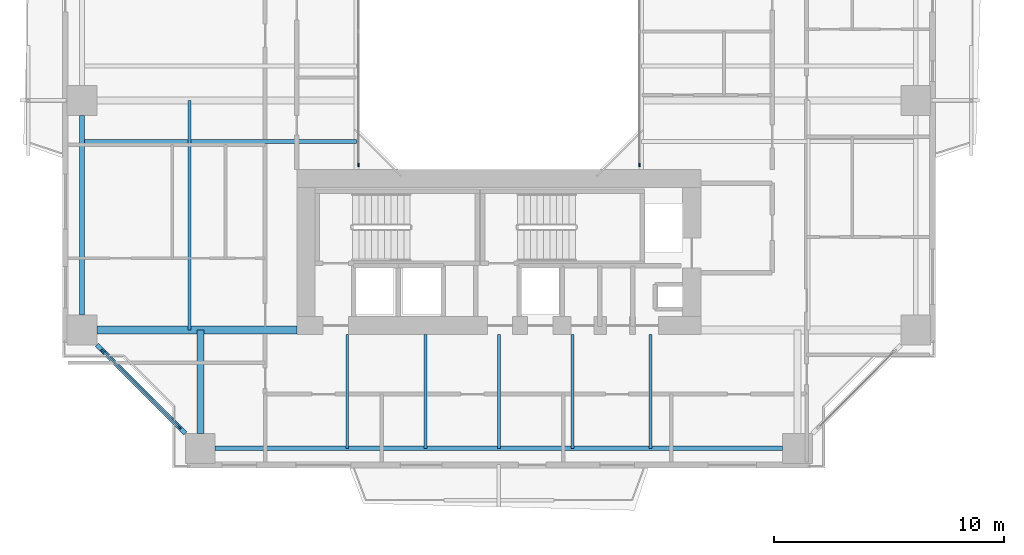
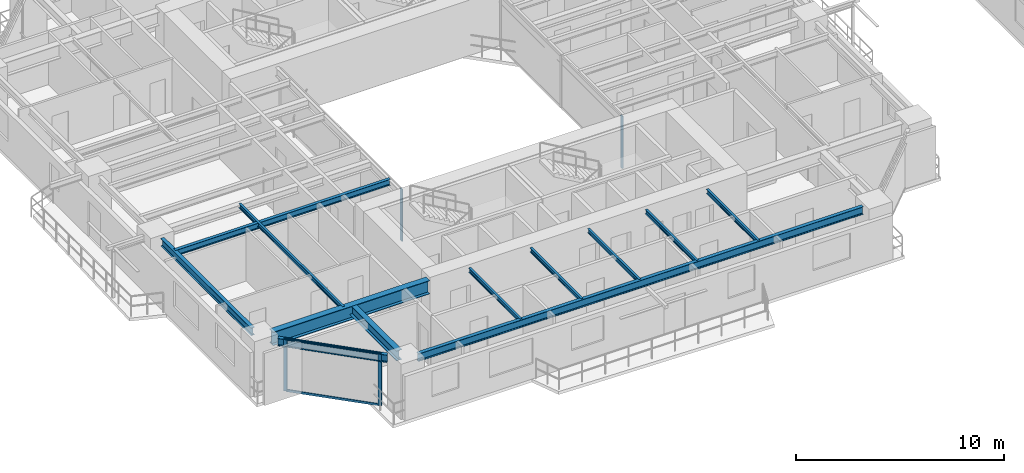
# One storey, part 2 of 24: 12 beams, 6 members, 3 elements without a shape of their own.
"""IFC4 building model written with IfcOpenShell, lengths in metres."""

from ifc_helpers import new_model, si_unit, direction, frame, origin, origin_2d, place, context, subcontext, project, spatial, rectangle, i_section, extrude, source, transform, mapped, material, layer, layer_set, material_profile, profile_set, type_object, element, aggregate, save


model = new_model("IFC4")

# Units and contexts
model_context = context("Model", 3, precision=1e-05, world=origin(), true_north=direction((0.0, 1.0)))
body_context = subcontext(model_context, "Body", "Model", "MODEL_VIEW")
ifc_project = project(units=[si_unit("LENGTHUNIT", "METRE"), si_unit("AREAUNIT", "SQUARE_METRE"), si_unit("VOLUMEUNIT", "CUBIC_METRE"), si_unit("PLANEANGLEUNIT", "RADIAN"), si_unit("MASSUNIT", "GRAM", prefix="KILO"), si_unit("THERMODYNAMICTEMPERATUREUNIT", "KELVIN"), si_unit("POWERUNIT", "WATT")], contexts=[model_context])

# Site, building, storey
site_placement = place(None, origin())
site = spatial("IfcSite", under=ifc_project, at=site_placement, CompositionType="ELEMENT")
building_placement = place(site_placement, origin())
building = spatial("IfcBuilding", under=site, at=building_placement, Name="Qiaomeng Ring Towers", CompositionType="ELEMENT")
storey_placement = place(building_placement, frame((0.0, 0.0, 56.75)))
storey = spatial("IfcBuildingStorey", under=building, at=storey_placement, Name="L15", CompositionType="ELEMENT", Elevation=56.75)

# Beams
ifc_material_1 = material(Name="Steel Q355B", Category="steel")
ifc_material_profile_1 = material_profile(ifc_material_1, i_section(OverallWidth=0.199951171875, OverallDepth=0.449951171875, WebThickness=0.009033203125, FlangeThickness=0.013916015625, FilletRadius=0.01806640625, at=origin_2d()), Name="HN 450x200x9x14")
ifc_profile_set_1 = profile_set([ifc_material_profile_1], Name="Steel Q355B")
beam_type_1 = type_object("IfcBeamType", Name="STR-BM-HN450", PredefinedType="SPANDREL", material=ifc_profile_set_1)
shared_shape_1 = source(origin(), body_context, "Body", "SweptSolid", [
    extrude(i_section(OverallWidth=0.199951171875, OverallDepth=0.449951171875, WebThickness=0.009033203125, FlangeThickness=0.013916015625, FilletRadius=0.01806640625, at=origin_2d()), origin(), (0.0, 0.0, 1.0), 24.7021484375),
])
beam_1_placement = place(storey_placement, frame((6.64892578125, 4.85009765625, 2.844970703125), z_axis=(1.0, 0.0, 0.0), x_axis=(0.0, 1.0, 0.0)))
element("IfcBeam", 1, at=beam_1_placement, inside=storey, type_object=beam_type_1, Name="L15 beam STR-SP-L15-T1-S1-S2", PredefinedType="SPANDREL", context=body_context, shape_type="MappedRepresentation", body=[
    mapped(shared_shape_1, transform((0.0, 0.0, 0.0), x_axis=(1.0, 0.0, 0.0), y_axis=(0.0, 1.0, 0.0), z_axis=(0.0, 0.0, 1.0), scale=1.0)),
])
shared_shape_2 = source(origin(), body_context, "Body", "SweptSolid", [
    extrude(i_section(OverallWidth=0.199951171875, OverallDepth=0.449951171875, WebThickness=0.009033203125, FlangeThickness=0.013916015625, FilletRadius=0.01806640625, at=origin_2d()), origin(), (0.0, 0.0, 1.0), 5.446533203125),
])
beam_2_placement = place(storey_placement, frame((1.499267578125, 9.3505859375, 2.844970703125), z_axis=(0.707106781187, -0.707106781187, 0.0), x_axis=(0.707106781187, 0.707106781187, 0.0)))
element("IfcBeam", 2, at=beam_2_placement, inside=storey, type_object=beam_type_1, Name="L15 beam STR-SP-L15-T1-W1-S1", PredefinedType="SPANDREL", context=body_context, shape_type="MappedRepresentation", body=[
    mapped(shared_shape_2, transform((0.0, 0.0, 0.0), x_axis=(1.0, 0.0, 0.0), y_axis=(0.0, 1.0, 0.0), z_axis=(0.0, 0.0, 1.0), scale=1.0)),
])
shared_shape_3 = source(origin(), body_context, "Body", "SweptSolid", [
    extrude(i_section(OverallWidth=0.199951171875, OverallDepth=0.449951171875, WebThickness=0.009033203125, FlangeThickness=0.013916015625, FilletRadius=0.01806640625, at=origin_2d()), origin(), (0.0, 0.0, 1.0), 8.7021484375),
])
beam_3_placement = place(storey_placement, frame((0.85009765625, 19.35107421875, 2.844970703125), z_axis=(0.0, -1.0, 0.0), x_axis=(1.0, 0.0, 0.0)))
element("IfcBeam", 3, at=beam_3_placement, inside=storey, type_object=beam_type_1, Name="L15 beam STR-SP-L15-T1-W2-W1", PredefinedType="SPANDREL", context=body_context, shape_type="MappedRepresentation", body=[
    mapped(shared_shape_3, transform((0.0, 0.0, 0.0), x_axis=(1.0, 0.0, 0.0), y_axis=(0.0, 1.0, 0.0), z_axis=(0.0, 0.0, 1.0), scale=1.0)),
])
ifc_material_2 = material(Name="Steel Q390GJC", Category="steel")
ifc_material_profile_2 = material_profile(ifc_material_2, i_section(OverallWidth=0.35009765625, OverallDepth=0.800048828125, WebThickness=0.01611328125, FlangeThickness=0.028076171875, at=origin_2d()), Name="WH 800x350x16x28")
ifc_profile_set_2 = profile_set([ifc_material_profile_2], Name="Steel Q390GJC")
beam_type_2 = type_object("IfcBeamType", Name="STR-BM-WH800", PredefinedType="BEAM", material=ifc_profile_set_2)
shared_shape_4 = source(origin(), body_context, "Body", "SweptSolid", [
    extrude(i_section(OverallWidth=0.35009765625, OverallDepth=0.800048828125, WebThickness=0.01611328125, FlangeThickness=0.028076171875, at=origin_2d()), origin(), (0.0, 0.0, 1.0), 8.700927734375),
])
beam_4_placement = place(storey_placement, frame((1.4990234375, 10.0, 2.669921875), z_axis=(1.0, 0.0, 0.0), x_axis=(0.0, 1.0, 0.0)))
element("IfcBeam", 4, at=beam_4_placement, inside=storey, type_object=beam_type_2, Name="L15 beam STR-BM-L15-T1-RAD-W1", PredefinedType="BEAM", context=body_context, shape_type="MappedRepresentation", body=[
    mapped(shared_shape_4, transform((0.0, 0.0, 0.0), x_axis=(1.0, 0.0, 0.0), y_axis=(0.0, 1.0, 0.0), z_axis=(0.0, 0.0, 1.0), scale=1.0)),
])
ifc_material_profile_3 = material_profile(ifc_material_1, i_section(OverallWidth=0.300048828125, OverallDepth=0.587890625, WebThickness=0.011962890625, FlangeThickness=0.02001953125, FilletRadius=0.028076171875, at=origin_2d()), Name="HM 588x300x12x20")
ifc_profile_set_3 = profile_set([ifc_material_profile_3], Name="Steel Q355B")
beam_type_3 = type_object("IfcBeamType", Name="STR-BM-HM588", PredefinedType="BEAM", material=ifc_profile_set_3)
shared_shape_5 = source(origin(), body_context, "Body", "SweptSolid", [
    extrude(i_section(OverallWidth=0.300048828125, OverallDepth=0.587890625, WebThickness=0.011962890625, FlangeThickness=0.02001953125, FilletRadius=0.028076171875, at=origin_2d()), origin(), (0.0, 0.0, 1.0), 4.5009765625),
])
beam_5_placement = place(storey_placement, frame((6.0, 5.4990234375, 2.77587890625), z_axis=(0.0, 1.0, 0.0), x_axis=(-1.0, 0.0, 0.0)))
element("IfcBeam", 5, at=beam_5_placement, inside=storey, type_object=beam_type_3, Name="L15 beam STR-BM-L15-T1-RAD-S1", PredefinedType="BEAM", context=body_context, shape_type="MappedRepresentation", body=[
    mapped(shared_shape_5, transform((0.0, 0.0, 0.0), x_axis=(1.0, 0.0, 0.0), y_axis=(0.0, 1.0, 0.0), z_axis=(0.0, 0.0, 1.0), scale=1.0)),
])
ifc_material_profile_4 = material_profile(ifc_material_1, i_section(OverallWidth=0.125, OverallDepth=0.25, WebThickness=0.006103515625, FlangeThickness=0.009033203125, FilletRadius=0.011962890625, at=origin_2d()), Name="HN 250x125x6x9")
ifc_profile_set_4 = profile_set([ifc_material_profile_4], Name="Steel Q355B")
beam_type_4 = type_object("IfcBeamType", Name="STR-BM-HN250", PredefinedType="JOIST", material=ifc_profile_set_4)
shared_shape_6 = source(origin(), body_context, "Body", "SweptSolid", [
    extrude(i_section(OverallWidth=0.125, OverallDepth=0.25, WebThickness=0.006103515625, FlangeThickness=0.009033203125, FilletRadius=0.011962890625, at=origin_2d()), origin(), (0.0, 0.0, 1.0), 4.949951171875),
])
for number, where, z_axis, x_axis, name in (
    (6, (12.39990234375, 4.85009765625, 2.945068359375), (0.0, 1.0, 0.0), (-1.0, 0.0, 0.0), "L15 beam STR-JST-L15-T1S-1"),
    (7, (15.800048828125, 4.85009765625, 2.945068359375), (0.0, 1.0, 0.0), (-1.0, 0.0, 0.0), "L15 beam STR-JST-L15-T1S-2"),
    (8, (19.0, 4.85009765625, 2.945068359375), (0.0, 1.0, 0.0), (-1.0, 0.0, 0.0), "L15 beam STR-JST-L15-T1S-3"),
    (9, (22.199951171875, 4.85009765625, 2.945068359375), (0.0, 1.0, 0.0), (-1.0, 0.0, 0.0), "L15 beam STR-JST-L15-T1S-4"),
    (10, (25.60009765625, 4.85009765625, 2.945068359375), (0.0, 1.0, 0.0), (-1.0, 0.0, 0.0), "L15 beam STR-JST-L15-T1S-5"),
):
    element("IfcBeam", number, at=place(storey_placement, frame(where, z_axis=z_axis, x_axis=x_axis)), inside=storey, type_object=beam_type_4, Name=name, PredefinedType="JOIST", context=body_context, shape_type="MappedRepresentation", body=[
        mapped(shared_shape_6, transform((0.0, 0.0, 0.0), x_axis=(1.0, 0.0, 0.0), y_axis=(0.0, 1.0, 0.0), z_axis=(0.0, 0.0, 1.0), scale=1.0)),
    ])
ifc_material_profile_5 = material_profile(ifc_material_1, i_section(OverallWidth=0.175048828125, OverallDepth=0.35009765625, WebThickness=0.007080078125, FlangeThickness=0.010986328125, FilletRadius=0.013916015625, at=origin_2d()), Name="HN 350x175x7x11")
ifc_profile_set_5 = profile_set([ifc_material_profile_5], Name="Steel Q355B")
beam_type_5 = type_object("IfcBeamType", Name="STR-BM-HN350", PredefinedType="JOIST", material=ifc_profile_set_5)
shared_shape_7 = source(origin(), body_context, "Body", "SweptSolid", [
    extrude(i_section(OverallWidth=0.175048828125, OverallDepth=0.35009765625, WebThickness=0.007080078125, FlangeThickness=0.010986328125, FilletRadius=0.013916015625, at=origin_2d()), origin(), (0.0, 0.0, 1.0), 11.949951171875),
])
beam_6_placement = place(storey_placement, frame((0.85009765625, 18.199951171875, 2.89501953125), z_axis=(1.0, 0.0, 0.0), x_axis=(0.0, 1.0, 0.0)))
element("IfcBeam", 11, at=beam_6_placement, inside=storey, type_object=beam_type_5, Name="L15 beam STR-JST-L15-T1W-1", PredefinedType="JOIST", context=body_context, shape_type="MappedRepresentation", body=[
    mapped(shared_shape_7, transform((0.0, 0.0, 0.0), x_axis=(1.0, 0.0, 0.0), y_axis=(0.0, 1.0, 0.0), z_axis=(0.0, 0.0, 1.0), scale=1.0)),
])
shared_shape_8 = source(origin(), body_context, "Body", "SweptSolid", [
    extrude(i_section(OverallWidth=0.125, OverallDepth=0.25, WebThickness=0.006103515625, FlangeThickness=0.009033203125, FilletRadius=0.011962890625, at=origin_2d()), origin(), (0.0, 0.0, 1.0), 10.0),
])
beam_7_placement = place(storey_placement, frame((5.52490234375, 10.0, 2.945068359375), z_axis=(0.0, 1.0, 0.0), x_axis=(-1.0, 0.0, 0.0)))
element("IfcBeam", 12, at=beam_7_placement, inside=storey, type_object=beam_type_4, Name="L15 beam STR-JST-L15-T1C-WS", PredefinedType="JOIST", context=body_context, shape_type="MappedRepresentation", body=[
    mapped(shared_shape_8, transform((0.0, 0.0, 0.0), x_axis=(1.0, 0.0, 0.0), y_axis=(0.0, 1.0, 0.0), z_axis=(0.0, 0.0, 1.0), scale=1.0)),
])

# Curtain wall, member
ifc_material_3 = material(Name="Fluorocarbon dark-grey aluminium", Category="aluminium")
ifc_layer_1 = layer(ifc_material_3, 0.139892578125, Name="Fluorocarbon dark-grey aluminium")
ifc_layer_set_1 = layer_set([ifc_layer_1], Name="Fluorocarbon dark-grey aluminium")
curtain_wall_type_1 = type_object("IfcCurtainWallType", Name="ARC-CW-4", PredefinedType="NOTDEFINED", material=ifc_layer_set_1)
curtain_wall_1_placement = place(storey_placement, origin())
curtain_wall_1 = element("IfcCurtainWall", 13, at=curtain_wall_1_placement, inside=storey, type_object=curtain_wall_type_1, Name="L15 Curtain Wall CW4", PredefinedType="NOTDEFINED")
ifc_material_profile_6 = material_profile(ifc_material_3, rectangle(XDim=0.06494140625, YDim=0.159912109375, at=origin_2d()), Name="ALU MULL 65x160")
ifc_profile_set_6 = profile_set([ifc_material_profile_6], Name="Fluorocarbon dark-grey aluminium")
member_type_1 = type_object("IfcMemberType", Name="ARC-CWM-140", PredefinedType="MULLION", material=ifc_profile_set_6)
shared_shape_9 = source(origin(), body_context, "Body", "SweptSolid", [
    extrude(rectangle(XDim=0.06494140625, YDim=0.159912109375, at=origin_2d()), origin(), (0.0, 0.0, 1.0), 3.070068359375),
])
member_1_placement = place(storey_placement, frame((12.8798828125, 17.1826171875, 0.0), z_axis=(0.0, 0.0, 1.0), x_axis=(-1.0, 0.0, 0.0)))
member_1 = element("IfcMember", 14, at=member_1_placement, type_object=member_type_1, Name="CW4 mullion 1", PredefinedType="MULLION", context=body_context, shape_type="MappedRepresentation", body=[
    mapped(shared_shape_9, transform((0.0, 0.0, 0.0), x_axis=(1.0, 0.0, 0.0), y_axis=(0.0, 1.0, 0.0), z_axis=(0.0, 0.0, 1.0), scale=1.0)),
])
aggregate(curtain_wall_1, [member_1])

curtain_wall_2_placement = place(storey_placement, origin())
curtain_wall_2 = element("IfcCurtainWall", 15, at=curtain_wall_2_placement, inside=storey, type_object=curtain_wall_type_1, Name="L15 Curtain Wall CW4", PredefinedType="NOTDEFINED")
member_2_placement = place(storey_placement, frame((25.1201171875, 17.1826171875, 0.0), z_axis=(0.0, 0.0, 1.0), x_axis=(-1.0, 0.0, 0.0)))
member_2 = element("IfcMember", 16, at=member_2_placement, type_object=member_type_1, Name="CW4 mullion 1", PredefinedType="MULLION", context=body_context, shape_type="MappedRepresentation", body=[
    mapped(shared_shape_9, transform((0.0, 0.0, 0.0), x_axis=(1.0, 0.0, 0.0), y_axis=(0.0, 1.0, 0.0), z_axis=(0.0, 0.0, 1.0), scale=1.0)),
])
aggregate(curtain_wall_2, [member_2])

# Curtain wall, members
ifc_layer_2 = layer(ifc_material_3, 0.159912109375, Name="Fluorocarbon dark-grey aluminium")
ifc_layer_set_2 = layer_set([ifc_layer_2], Name="Fluorocarbon dark-grey aluminium")
curtain_wall_type_2 = type_object("IfcCurtainWallType", Name="ARC-CW-2", PredefinedType="NOTDEFINED", material=ifc_layer_set_2)
curtain_wall_3_placement = place(storey_placement, origin())
curtain_wall_3 = element("IfcCurtainWall", 17, at=curtain_wall_3_placement, inside=storey, type_object=curtain_wall_type_2, Name="L15 Curtain Wall CW2", PredefinedType="NOTDEFINED")
ifc_material_profile_7 = material_profile(ifc_material_3, rectangle(XDim=0.070068359375, YDim=0.179931640625, at=origin_2d()), Name="ALU MULL 70x180")
ifc_profile_set_7 = profile_set([ifc_material_profile_7], Name="Fluorocarbon dark-grey aluminium")
member_type_2 = type_object("IfcMemberType", Name="ARC-CWM-160", PredefinedType="MULLION", material=ifc_profile_set_7)
shared_shape_10 = source(origin(), body_context, "Body", "SweptSolid", [
    extrude(rectangle(XDim=0.070068359375, YDim=0.179931640625, at=origin_2d()), origin(), (0.0, 0.0, 1.0), 3.070068359375),
])
member_3_placement = place(storey_placement, frame((1.7646484375, 9.085205078125, 0.0), z_axis=(0.0, 0.0, 1.0), x_axis=(0.707106781187, 0.707106781187, 0.0)))
member_3 = element("IfcMember", 18, at=member_3_placement, type_object=member_type_2, Name="CW2 mullion 1", PredefinedType="MULLION", context=body_context, shape_type="MappedRepresentation", body=[
    mapped(shared_shape_10, transform((0.0, 0.0, 0.0), x_axis=(1.0, 0.0, 0.0), y_axis=(0.0, 1.0, 0.0), z_axis=(0.0, 0.0, 1.0), scale=1.0)),
])
member_4_placement = place(storey_placement, frame((5.085205078125, 5.7646484375, 0.0), z_axis=(0.0, 0.0, 1.0), x_axis=(0.707106781187, 0.707106781187, 0.0)))
member_4 = element("IfcMember", 19, at=member_4_placement, type_object=member_type_2, Name="CW2 mullion 2", PredefinedType="MULLION", context=body_context, shape_type="MappedRepresentation", body=[
    mapped(shared_shape_10, transform((0.0, 0.0, 0.0), x_axis=(1.0, 0.0, 0.0), y_axis=(0.0, 1.0, 0.0), z_axis=(0.0, 0.0, 1.0), scale=1.0)),
])
ifc_material_profile_8 = material_profile(ifc_material_3, rectangle(XDim=0.06494140625, YDim=0.1298828125, at=origin_2d()), Name="ALU TRAN 65x130")
ifc_profile_set_8 = profile_set([ifc_material_profile_8], Name="Fluorocarbon dark-grey aluminium")
member_type_3 = type_object("IfcMemberType", Name="ARC-CWT-120", PredefinedType="USERDEFINED", material=ifc_profile_set_8)
shared_shape_11 = source(origin(), body_context, "Body", "SweptSolid", [
    extrude(rectangle(XDim=0.06494140625, YDim=0.1298828125, at=origin_2d()), origin(), (0.0, 0.0, 1.0), 4.6259765625),
])
member_5_placement = place(storey_placement, frame((1.78955078125, 9.060546875, 0.032470703125), z_axis=(0.707106781187, -0.707106781187, 0.0), x_axis=(0.707106781187, 0.707106781187, 0.0)))
member_5 = element("IfcMember", 20, at=member_5_placement, type_object=member_type_3, Name="CW2 transom 1.1", ObjectType="TRANSOM", PredefinedType="USERDEFINED", context=body_context, shape_type="MappedRepresentation", body=[
    mapped(shared_shape_11, transform((0.0, 0.0, 0.0), x_axis=(1.0, 0.0, 0.0), y_axis=(0.0, 1.0, 0.0), z_axis=(0.0, 0.0, 1.0), scale=1.0)),
])
member_6_placement = place(storey_placement, frame((1.78955078125, 9.060546875, 3.03759765625), z_axis=(0.707106781187, -0.707106781187, 0.0), x_axis=(0.707106781187, 0.707106781187, 0.0)))
member_6 = element("IfcMember", 21, at=member_6_placement, type_object=member_type_3, Name="CW2 transom 1.2", ObjectType="TRANSOM", PredefinedType="USERDEFINED", context=body_context, shape_type="MappedRepresentation", body=[
    mapped(shared_shape_11, transform((0.0, 0.0, 0.0), x_axis=(1.0, 0.0, 0.0), y_axis=(0.0, 1.0, 0.0), z_axis=(0.0, 0.0, 1.0), scale=1.0)),
])
aggregate(curtain_wall_3, [member_3, member_4, member_5, member_6])

save(model, "model.ifc")
